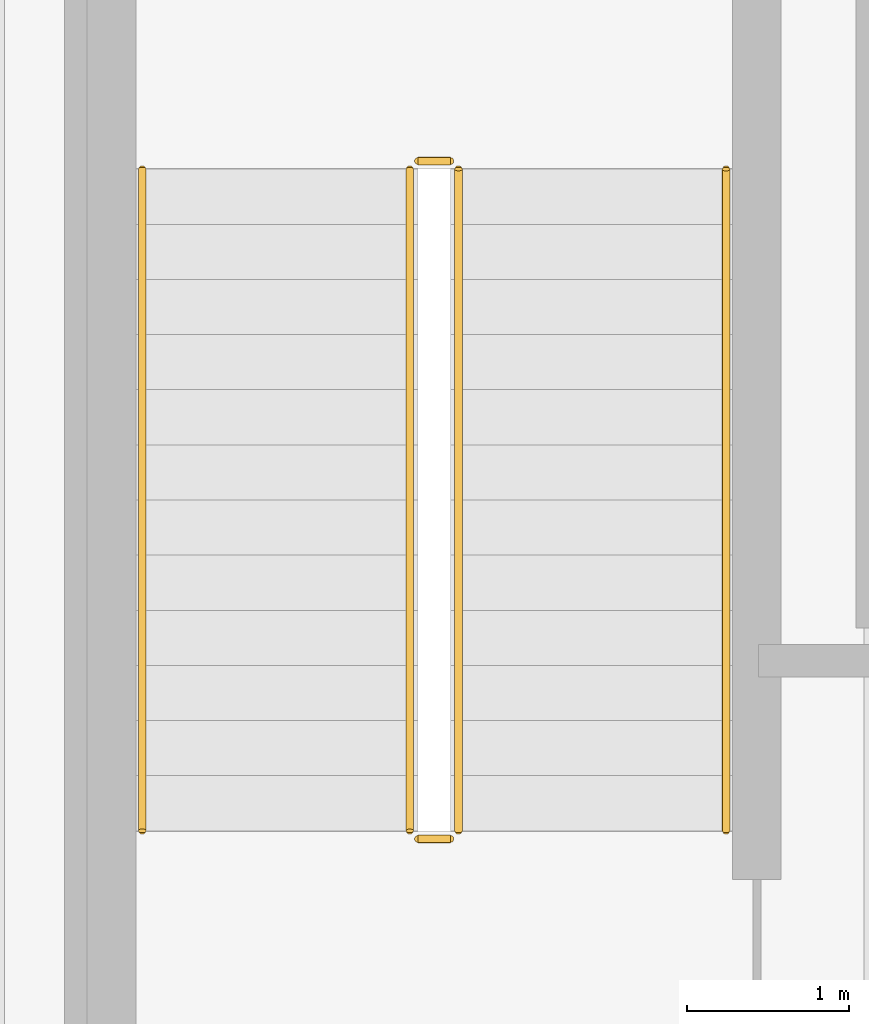
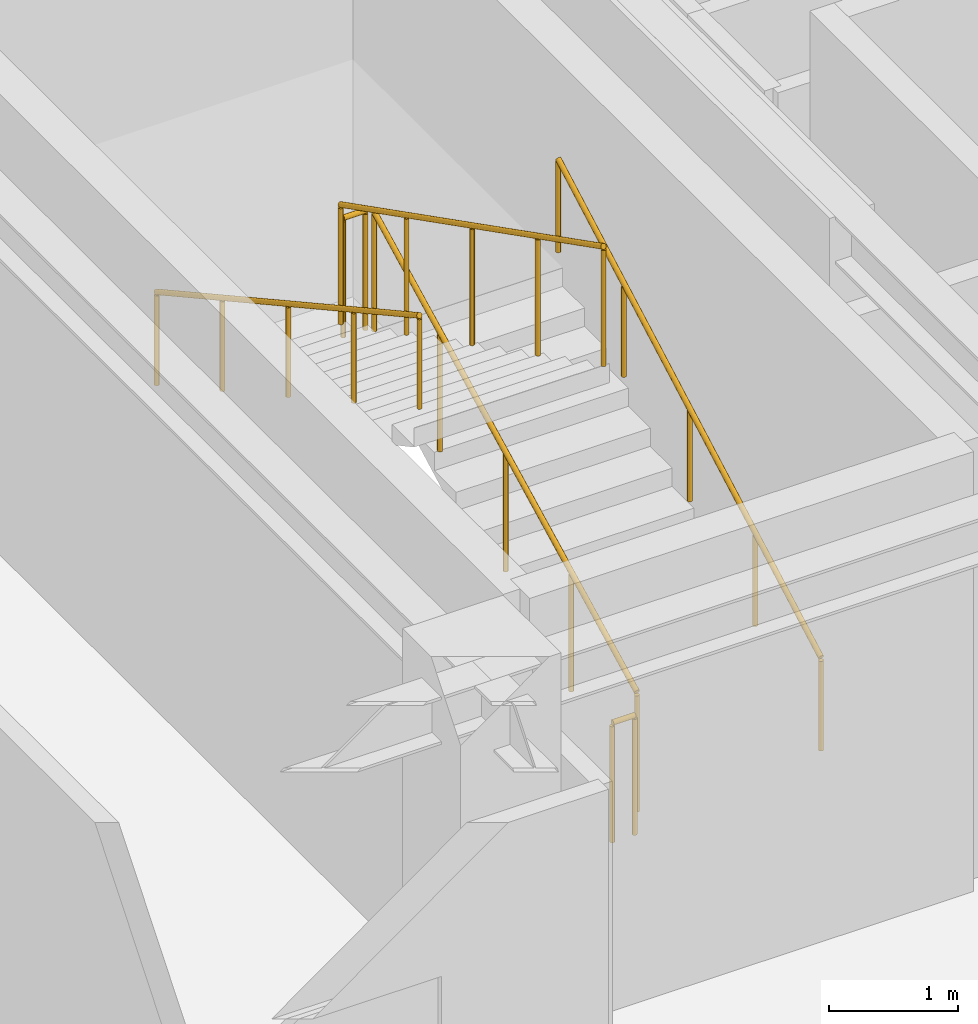
# One storey, part 24 of 25: 6 railings.
"""IFC4 building model written with IfcOpenShell, lengths in metres."""

from ifc_helpers import new_model, si_unit, direction, frame, origin, origin_2d, place, context, subcontext, project, spatial, circle, extrude, material, type_object, element, save


model = new_model("IFC4")

# Units and contexts
model_context = context("Model", 3, precision=1e-05, world=origin(), true_north=direction((0.0, 1.0)))
body_context = subcontext(model_context, "Body", "Model", "MODEL_VIEW")
ifc_project = project(units=[si_unit("LENGTHUNIT", "METRE"), si_unit("AREAUNIT", "SQUARE_METRE"), si_unit("VOLUMEUNIT", "CUBIC_METRE"), si_unit("PLANEANGLEUNIT", "RADIAN"), si_unit("MASSUNIT", "GRAM", prefix="KILO")], contexts=[model_context])

# Site, building, storey
site_placement = place(None, origin())
site = spatial("IfcSite", under=ifc_project, at=site_placement, CompositionType="ELEMENT")
building_placement = place(site_placement, origin())
building = spatial("IfcBuilding", under=site, at=building_placement, Name="Nahalor Promenade Grand Hotel", CompositionType="ELEMENT")
storey_placement = place(building_placement, frame((0.0, 0.0, 338.550048828125)))
storey = spatial("IfcBuildingStorey", under=building, at=storey_placement, Name="L87", CompositionType="ELEMENT", Elevation=338.550048828125)

# Railings
ifc_material = material(Name="Steel S355JR", Category="steel")
railing_type_1 = type_object("IfcRailingType", Name="Steel Stair Guardrail 1150 mm", PredefinedType="GUARDRAIL", material=ifc_material)
railing_1_placement = place(storey_placement, frame((5.75, 8.10009765625, 0.173095703125)))
element("IfcRailing", 1, at=railing_1_placement, inside=storey, type_object=railing_type_1, Name="L87 ST1 stair guard 1", PredefinedType="GUARDRAIL", context=body_context, shape_type="SweptSolid", body=[
    extrude(circle(Radius=0.024048, at=origin_2d()), frame((0.0, 0.0, 1.1259765625), z_axis=(0.0, 0.891172131844, 0.453665329759), x_axis=(-1.0, 0.0, 0.0)), (0.0, 0.0, 1.0), 4.578125),
    extrude(circle(Radius=0.020996, at=origin_2d()), origin(), (0.0, 0.0, 1.0), 1.099853515625),
    extrude(circle(Radius=0.020996, at=origin_2d()), frame((0.0, 1.02001953125, 0.519287109375)), (0.0, 0.0, 1.0), 1.099853515625),
    extrude(circle(Radius=0.020996, at=origin_2d()), frame((0.0, 2.0400390625, 1.03857421875)), (0.0, 0.0, 1.0), 1.099853515625),
    extrude(circle(Radius=0.020996, at=origin_2d()), frame((0.0, 3.059814453125, 1.5576171875)), (0.0, 0.0, 1.0), 1.099853515625),
    extrude(circle(Radius=0.020996, at=origin_2d()), frame((0.0, 4.079833984375, 2.076904296875)), (0.0, 0.0, 1.0), 1.099853515625),
])
railing_2_placement = place(storey_placement, frame((5.699951171875, 12.22998046875, 2.25)))
element("IfcRailing", 2, at=railing_2_placement, inside=storey, type_object=railing_type_1, Name="L87 ST1 stair guard 2", PredefinedType="GUARDRAIL", context=body_context, shape_type="SweptSolid", body=[
    extrude(circle(Radius=0.024048, at=origin_2d()), frame((0.0, 0.0, 1.1259765625), z_axis=(-1.0, 0.0, 0.0), x_axis=(0.0, -1.0, 0.0)), (0.0, 0.0, 1.0), 0.199951171875),
    extrude(circle(Radius=0.020996, at=origin_2d()), origin(), (0.0, 0.0, 1.0), 1.099853515625),
    extrude(circle(Radius=0.020996, at=origin_2d()), frame((-0.199951171875, 0.0, 0.0)), (0.0, 0.0, 1.0), 1.099853515625),
])
railing_3_placement = place(storey_placement, frame((5.449951171875, 12.179931640625, 2.423095703125)))
element("IfcRailing", 3, at=railing_3_placement, inside=storey, type_object=railing_type_1, Name="L87 ST1 stair guard 3", PredefinedType="GUARDRAIL", context=body_context, shape_type="SweptSolid", body=[
    extrude(circle(Radius=0.024048, at=origin_2d()), frame((0.0, 0.0, 1.1259765625), z_axis=(0.0, -0.891172131844, 0.453665329759), x_axis=(1.0, 0.0, 0.0)), (0.0, 0.0, 1.0), 4.578125),
    extrude(circle(Radius=0.020996, at=origin_2d()), origin(), (0.0, 0.0, 1.0), 1.099853515625),
    extrude(circle(Radius=0.020996, at=origin_2d()), frame((0.0, -1.02001953125, 0.519287109375)), (0.0, 0.0, 1.0), 1.099853515625),
    extrude(circle(Radius=0.020996, at=origin_2d()), frame((0.0, -2.0400390625, 1.03857421875)), (0.0, 0.0, 1.0), 1.099853515625),
    extrude(circle(Radius=0.020996, at=origin_2d()), frame((0.0, -3.059814453125, 1.5576171875)), (0.0, 0.0, 1.0), 1.099853515625),
    extrude(circle(Radius=0.020996, at=origin_2d()), frame((0.0, -4.079833984375, 2.076904296875)), (0.0, 0.0, 1.0), 1.099853515625),
])
railing_4_placement = place(storey_placement, frame((5.699951171875, 8.050048828125, 0.0)))
element("IfcRailing", 4, at=railing_4_placement, inside=storey, type_object=railing_type_1, Name="L87 ST1 stair guard 4", PredefinedType="GUARDRAIL", context=body_context, shape_type="SweptSolid", body=[
    extrude(circle(Radius=0.024048, at=origin_2d()), frame((0.0, 0.0, 1.1259765625), z_axis=(-1.0, 0.0, 0.0), x_axis=(0.0, -1.0, 0.0)), (0.0, 0.0, 1.0), 0.199951171875),
    extrude(circle(Radius=0.020996, at=origin_2d()), origin(), (0.0, 0.0, 1.0), 1.099853515625),
    extrude(circle(Radius=0.020996, at=origin_2d()), frame((-0.199951171875, 0.0, 0.0)), (0.0, 0.0, 1.0), 1.099853515625),
])
railing_type_2 = type_object("IfcRailingType", Name="Steel Stair Handrail 900 mm", PredefinedType="HANDRAIL", material=ifc_material)
railing_5_placement = place(storey_placement, frame((7.39990234375, 8.10009765625, 0.173095703125)))
element("IfcRailing", 5, at=railing_5_placement, inside=storey, type_object=railing_type_2, Name="L87 ST1 stair handrail 1", PredefinedType="HANDRAIL", context=body_context, shape_type="SweptSolid", body=[
    extrude(circle(Radius=0.024048, at=origin_2d()), frame((0.0, 0.0, 0.8759765625), z_axis=(0.0, 0.875663268765, 0.482922188076), x_axis=(-1.0, 0.0, 0.0)), (0.0, 0.0, 1.0), 4.6591796875),
    extrude(circle(Radius=0.020996, at=origin_2d()), origin(), (0.0, 0.0, 1.0), 0.849853515625),
    extrude(circle(Radius=0.020996, at=origin_2d()), frame((0.0, 1.02001953125, 0.5625)), (0.0, 0.0, 1.0), 0.849853515625),
    extrude(circle(Radius=0.020996, at=origin_2d()), frame((0.0, 2.0400390625, 1.125)), (0.0, 0.0, 1.0), 0.849853515625),
    extrude(circle(Radius=0.020996, at=origin_2d()), frame((0.0, 3.059814453125, 1.6875)), (0.0, 0.0, 1.0), 0.849853515625),
    extrude(circle(Radius=0.020996, at=origin_2d()), frame((0.0, 4.079833984375, 2.25)), (0.0, 0.0, 1.0), 0.849853515625),
])
railing_6_placement = place(storey_placement, frame((3.800048828125, 12.179931640625, 2.423095703125)))
element("IfcRailing", 6, at=railing_6_placement, inside=storey, type_object=railing_type_2, Name="L87 ST1 stair handrail 2", PredefinedType="HANDRAIL", context=body_context, shape_type="SweptSolid", body=[
    extrude(circle(Radius=0.024048, at=origin_2d()), frame((0.0, 0.0, 0.8759765625), z_axis=(0.0, -0.875663268765, 0.482922188076), x_axis=(1.0, 0.0, 0.0)), (0.0, 0.0, 1.0), 4.6591796875),
    extrude(circle(Radius=0.020996, at=origin_2d()), origin(), (0.0, 0.0, 1.0), 0.849853515625),
    extrude(circle(Radius=0.020996, at=origin_2d()), frame((0.0, -1.02001953125, 0.5625)), (0.0, 0.0, 1.0), 0.849853515625),
    extrude(circle(Radius=0.020996, at=origin_2d()), frame((0.0, -2.0400390625, 1.125)), (0.0, 0.0, 1.0), 0.849853515625),
    extrude(circle(Radius=0.020996, at=origin_2d()), frame((0.0, -3.059814453125, 1.6875)), (0.0, 0.0, 1.0), 0.849853515625),
    extrude(circle(Radius=0.020996, at=origin_2d()), frame((0.0, -4.079833984375, 2.25)), (0.0, 0.0, 1.0), 0.849853515625),
])

save(model, "model.ifc")
